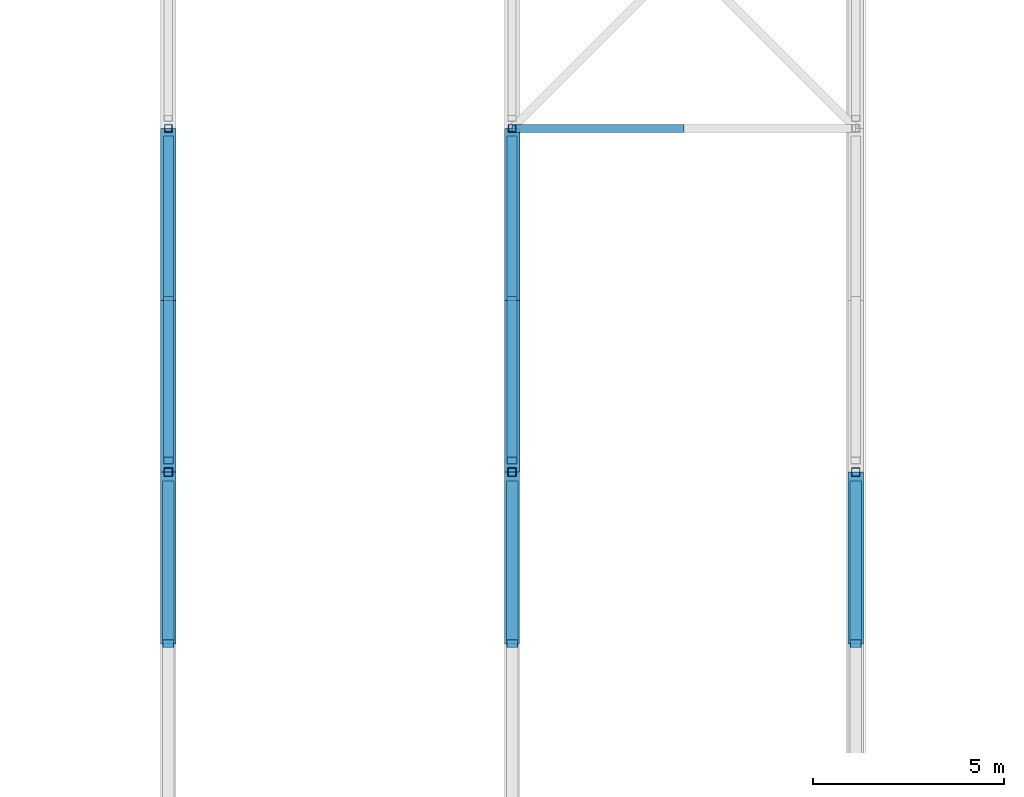
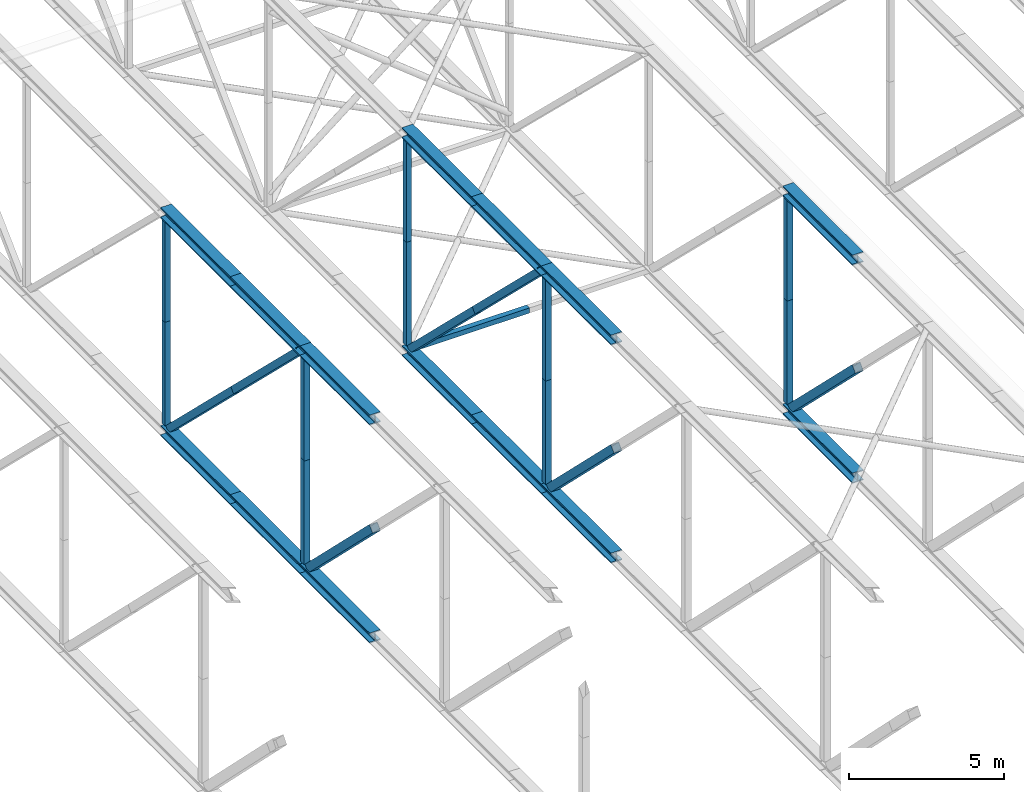
# One storey, part 44 of 646: 32 members.
"""IFC4 building model written with IfcOpenShell, lengths in metres."""

from ifc_helpers import new_model, si_unit, direction, frame, origin, origin_2d, place, context, subcontext, project, spatial, hollow_rectangle, i_section, extrude, material, material_profile, profile_set, type_object, element, save


model = new_model("IFC4")

# Units and contexts
model_context = context("Model", 3, precision=1e-05, world=origin(), true_north=direction((0.0, 1.0)))
body_context = subcontext(model_context, "Body", "Model", "MODEL_VIEW")
ifc_project = project(units=[si_unit("LENGTHUNIT", "METRE"), si_unit("AREAUNIT", "SQUARE_METRE"), si_unit("VOLUMEUNIT", "CUBIC_METRE"), si_unit("PLANEANGLEUNIT", "RADIAN"), si_unit("MASSUNIT", "GRAM", prefix="KILO")], contexts=[model_context])

# Site, building, storey
site_placement = place(None, origin())
site = spatial("IfcSite", under=ifc_project, at=site_placement, CompositionType="ELEMENT")
building_placement = place(site_placement, origin())
building = spatial("IfcBuilding", under=site, at=building_placement, Name="Silverbay Arena", CompositionType="ELEMENT")
storey_placement = place(building_placement, frame((0.0, 0.0, 33.5)))
storey = spatial("IfcBuildingStorey", under=building, at=storey_placement, Name="L05", CompositionType="ELEMENT", Elevation=33.5)

# Members
ifc_material_1 = material(Name="Steel S355", Category="steel")
ifc_material_profile_1 = material_profile(ifc_material_1, hollow_rectangle(XDim=0.199951171875, YDim=0.199951171875, WallThickness=0.008056640625, at=origin_2d()), Name="SHS 200x200x8")
ifc_profile_set_1 = profile_set([ifc_material_profile_1], Name="Steel S355")
member_type_1 = type_object("IfcMemberType", Name="Bracing strut SHS 200x200x8", PredefinedType="STRUT", material=ifc_profile_set_1)
member_1_placement = place(storey_placement, frame((126.0, 72.0, 4.203125), z_axis=(1.0, 0.0, 0.0), x_axis=(0.0, 1.0, 0.0)))
element("IfcMember", 1, at=member_1_placement, inside=storey, type_object=member_type_1, Name="ROOF BRACING strut 15-16 line 08a", PredefinedType="STRUT", context=body_context, shape_type="SweptSolid", body=[
    extrude(hollow_rectangle(XDim=0.199951171875, YDim=0.199951171875, WallThickness=0.008056640625, at=origin_2d()), origin(), (0.0, 0.0, 1.0), 4.5),
])
ifc_material_2 = material(Name="Steel S355", Category="steel")
ifc_material_profile_2 = material_profile(ifc_material_2, i_section(OverallWidth=0.403076171875, OverallDepth=0.406494140625, WebThickness=0.026611328125, FlangeThickness=0.04296875, at=origin_2d()), Name="UC 356x406x340")
ifc_profile_set_2 = profile_set([ifc_material_profile_2], Name="Steel S355")
member_type_2 = type_object("IfcMemberType", Name="Main-span bottom chord UC 356x406x340", PredefinedType="CHORD", material=ifc_profile_set_2)
for number, where, z_axis, x_axis, name in (
    (2, (117.0, 58.5, 4.203125), (0.0, 1.0, 0.0), (-1.0, 0.0, 0.0), "ROOF TRUSS 14 bottom chord 06b"),
    (3, (117.0, 63.0, 4.203125), (0.0, 1.0, 0.0), (-1.0, 0.0, 0.0), "ROOF TRUSS 14 bottom chord 07a"),
    (4, (117.0, 67.5, 4.203125), (0.0, 1.0, 0.0), (-1.0, 0.0, 0.0), "ROOF TRUSS 14 bottom chord 07b"),
    (5, (126.0, 58.5, 4.203125), (0.0, 1.0, 0.0), (-1.0, 0.0, 0.0), "ROOF TRUSS 15 bottom chord 06b"),
    (6, (126.0, 63.0, 4.203125), (0.0, 1.0, 0.0), (-1.0, 0.0, 0.0), "ROOF TRUSS 15 bottom chord 07a"),
    (7, (126.0, 67.5, 4.203125), (0.0, 1.0, 0.0), (-1.0, 0.0, 0.0), "ROOF TRUSS 15 bottom chord 07b"),
    (8, (135.0, 58.5, 4.203125), (0.0, 1.0, 0.0), (-1.0, 0.0, 0.0), "ROOF TRUSS 16 bottom chord 06b"),
):
    element("IfcMember", number, at=place(storey_placement, frame(where, z_axis=z_axis, x_axis=x_axis)), inside=storey, type_object=member_type_2, Name=name, PredefinedType="CHORD", context=body_context, shape_type="SweptSolid", body=[
        extrude(i_section(OverallWidth=0.403076171875, OverallDepth=0.406494140625, WebThickness=0.026611328125, FlangeThickness=0.04296875, at=origin_2d()), origin(), (0.0, 0.0, 1.0), 4.5),
    ])
ifc_material_3 = material(Name="Steel S355", Category="steel")
ifc_material_profile_3 = material_profile(ifc_material_3, i_section(OverallWidth=0.403076171875, OverallDepth=0.406494140625, WebThickness=0.026611328125, FlangeThickness=0.04296875, at=origin_2d()), Name="UC 356x406x340")
ifc_profile_set_3 = profile_set([ifc_material_profile_3], Name="Steel S355")
member_type_3 = type_object("IfcMemberType", Name="Main-span top chord UC 356x406x340", PredefinedType="CHORD", material=ifc_profile_set_3)
for number, where, z_axis, x_axis, name in (
    (9, (117.0, 58.5, 12.796875), (0.0, 1.0, 0.0), (-1.0, 0.0, 0.0), "ROOF TRUSS 14 top chord 06b"),
    (10, (126.0, 58.5, 12.796875), (0.0, 1.0, 0.0), (-1.0, 0.0, 0.0), "ROOF TRUSS 15 top chord 06b"),
    (11, (135.0, 58.5, 12.796875), (0.0, 1.0, 0.0), (-1.0, 0.0, 0.0), "ROOF TRUSS 16 top chord 06b"),
):
    element("IfcMember", number, at=place(storey_placement, frame(where, z_axis=z_axis, x_axis=x_axis)), inside=storey, type_object=member_type_3, Name=name, PredefinedType="CHORD", context=body_context, shape_type="SweptSolid", body=[
        extrude(i_section(OverallWidth=0.403076171875, OverallDepth=0.406494140625, WebThickness=0.026611328125, FlangeThickness=0.04296875, at=origin_2d()), origin(), (0.0, 0.0, 1.0), 4.5),
    ])
ifc_material_4 = material(Name="Steel S355", Category="steel")
ifc_material_profile_4 = material_profile(ifc_material_4, i_section(OverallWidth=0.406982421875, OverallDepth=0.4189453125, WebThickness=0.030517578125, FlangeThickness=0.04931640625, at=origin_2d()), Name="UC 356x406x393")
ifc_profile_set_4 = profile_set([ifc_material_profile_4], Name="Steel S355")
member_type_4 = type_object("IfcMemberType", Name="Main-span top chord UC 356x406x393", PredefinedType="CHORD", material=ifc_profile_set_4)
for number, where, z_axis, x_axis, name in (
    (12, (117.0, 63.0, 12.79052734375), (0.0, 1.0, 0.0), (-1.0, 0.0, 0.0), "ROOF TRUSS 14 top chord 07a"),
    (13, (117.0, 67.5, 12.79052734375), (0.0, 1.0, 0.0), (-1.0, 0.0, 0.0), "ROOF TRUSS 14 top chord 07b"),
    (14, (126.0, 63.0, 12.79052734375), (0.0, 1.0, 0.0), (-1.0, 0.0, 0.0), "ROOF TRUSS 15 top chord 07a"),
    (15, (126.0, 67.5, 12.79052734375), (0.0, 1.0, 0.0), (-1.0, 0.0, 0.0), "ROOF TRUSS 15 top chord 07b"),
):
    element("IfcMember", number, at=place(storey_placement, frame(where, z_axis=z_axis, x_axis=x_axis)), inside=storey, type_object=member_type_4, Name=name, PredefinedType="CHORD", context=body_context, shape_type="SweptSolid", body=[
        extrude(i_section(OverallWidth=0.406982421875, OverallDepth=0.4189453125, WebThickness=0.030517578125, FlangeThickness=0.04931640625, at=origin_2d()), origin(), (0.0, 0.0, 1.0), 4.5),
    ])
ifc_material_5 = material(Name="Steel S355", Category="steel")
ifc_material_profile_5 = material_profile(ifc_material_5, hollow_rectangle(XDim=0.260009765625, YDim=0.260009765625, WallThickness=0.012451171875, at=origin_2d()), Name="SHS 260x260x12.5")
ifc_profile_set_5 = profile_set([ifc_material_profile_5], Name="Steel S355")
member_type_5 = type_object("IfcMemberType", Name="Main-span truss diagonal SHS 260x260x12.5", PredefinedType="BRACE", material=ifc_profile_set_5)
for number, where, z_axis, x_axis, name in (
    (16, (117.0, 63.303466796875, 12.5810546875), (0.0, 0.716765314206, -0.697314480239), (-1.0, 0.0, 0.0), "ROOF TRUSS 14 diagonal 07a"),
    (17, (117.0, 67.5048828125, 8.49365234375), (0.0, 0.716806382858, -0.697272263534), (-1.0, 0.0, 0.0), "ROOF TRUSS 14 diagonal 07b"),
    (18, (126.0, 63.303466796875, 12.5810546875), (0.0, 0.716765314206, -0.697314480239), (-1.0, 0.0, 0.0), "ROOF TRUSS 15 diagonal 07a"),
    (19, (126.0, 67.5048828125, 8.49365234375), (0.0, 0.716806382858, -0.697272263534), (-1.0, 0.0, 0.0), "ROOF TRUSS 15 diagonal 07b"),
):
    element("IfcMember", number, at=place(storey_placement, frame(where, z_axis=z_axis, x_axis=x_axis)), inside=storey, type_object=member_type_5, Name=name, PredefinedType="BRACE", context=body_context, shape_type="SweptSolid", body=[
        extrude(hollow_rectangle(XDim=0.260009765625, YDim=0.260009765625, WallThickness=0.012451171875, at=origin_2d()), origin(), (0.0, 0.0, 1.0), 5.861572265625),
    ])
ifc_material_6 = material(Name="Steel S355", Category="steel")
ifc_material_profile_6 = material_profile(ifc_material_6, hollow_rectangle(XDim=0.300048828125, YDim=0.300048828125, WallThickness=0.012451171875, at=origin_2d()), Name="SHS 300x300x12.5")
ifc_profile_set_6 = profile_set([ifc_material_profile_6], Name="Steel S355")
member_type_6 = type_object("IfcMemberType", Name="Main-span truss diagonal SHS 300x300x12.5", PredefinedType="BRACE", material=ifc_profile_set_6)
for number, where, z_axis, x_axis, name in (
    (20, (117.0, 58.507568359375, 8.5), (0.0, 0.71273186468, -0.701436589487), (-1.0, 0.0, 0.0), "ROOF TRUSS 14 diagonal 06b"),
    (21, (126.0, 58.507568359375, 8.5), (0.0, 0.71273186468, -0.701436589487), (-1.0, 0.0, 0.0), "ROOF TRUSS 15 diagonal 06b"),
    (22, (135.0, 58.507568359375, 8.5), (0.0, 0.71273186468, -0.701436589487), (-1.0, 0.0, 0.0), "ROOF TRUSS 16 diagonal 06b"),
):
    element("IfcMember", number, at=place(storey_placement, frame(where, z_axis=z_axis, x_axis=x_axis)), inside=storey, type_object=member_type_6, Name=name, PredefinedType="BRACE", context=body_context, shape_type="SweptSolid", body=[
        extrude(hollow_rectangle(XDim=0.300048828125, YDim=0.300048828125, WallThickness=0.012451171875, at=origin_2d()), origin(), (0.0, 0.0, 1.0), 5.8359375),
    ])
ifc_material_7 = material(Name="Steel S355", Category="steel")
ifc_material_profile_7 = material_profile(ifc_material_7, hollow_rectangle(XDim=0.199951171875, YDim=0.199951171875, WallThickness=0.008056640625, at=origin_2d()), Name="SHS 200x200x8")
ifc_profile_set_7 = profile_set([ifc_material_profile_7], Name="Steel S355")
member_type_7 = type_object("IfcMemberType", Name="Main-span truss vertical SHS 200x200x8", PredefinedType="STRUT", material=ifc_profile_set_7)
member_2_placement = place(storey_placement, frame((117.0, 72.0, 4.406494140625), z_axis=(0.0, 0.0, 1.0), x_axis=(1.0, 0.0, 0.0)))
element("IfcMember", 23, at=member_2_placement, inside=storey, type_object=member_type_7, Name="ROOF TRUSS 14 vertical 08a", PredefinedType="STRUT", context=body_context, shape_type="SweptSolid", body=[
    extrude(hollow_rectangle(XDim=0.199951171875, YDim=0.199951171875, WallThickness=0.008056640625, at=origin_2d()), origin(), (0.0, 0.0, 1.0), 4.087158203125),
])
member_3_placement = place(storey_placement, frame((117.0, 72.0, 8.49365234375), z_axis=(0.0, 0.0, 1.0), x_axis=(1.0, 0.0, 0.0)))
element("IfcMember", 24, at=member_3_placement, inside=storey, type_object=member_type_7, Name="ROOF TRUSS 14 vertical 08b", PredefinedType="STRUT", context=body_context, shape_type="SweptSolid", body=[
    extrude(hollow_rectangle(XDim=0.199951171875, YDim=0.199951171875, WallThickness=0.008056640625, at=origin_2d()), origin(), (0.0, 0.0, 1.0), 4.08740234375),
])
member_4_placement = place(storey_placement, frame((126.0, 72.0, 4.406494140625), z_axis=(0.0, 0.0, 1.0), x_axis=(1.0, 0.0, 0.0)))
element("IfcMember", 25, at=member_4_placement, inside=storey, type_object=member_type_7, Name="ROOF TRUSS 15 vertical 08a", PredefinedType="STRUT", context=body_context, shape_type="SweptSolid", body=[
    extrude(hollow_rectangle(XDim=0.199951171875, YDim=0.199951171875, WallThickness=0.008056640625, at=origin_2d()), origin(), (0.0, 0.0, 1.0), 4.087158203125),
])
member_5_placement = place(storey_placement, frame((126.0, 72.0, 8.49365234375), z_axis=(0.0, 0.0, 1.0), x_axis=(1.0, 0.0, 0.0)))
element("IfcMember", 26, at=member_5_placement, inside=storey, type_object=member_type_7, Name="ROOF TRUSS 15 vertical 08b", PredefinedType="STRUT", context=body_context, shape_type="SweptSolid", body=[
    extrude(hollow_rectangle(XDim=0.199951171875, YDim=0.199951171875, WallThickness=0.008056640625, at=origin_2d()), origin(), (0.0, 0.0, 1.0), 4.08740234375),
])
ifc_material_8 = material(Name="Steel S355", Category="steel")
ifc_material_profile_8 = material_profile(ifc_material_8, hollow_rectangle(XDim=0.219970703125, YDim=0.219970703125, WallThickness=0.008056640625, at=origin_2d()), Name="SHS 220x220x8")
ifc_profile_set_8 = profile_set([ifc_material_profile_8], Name="Steel S355")
member_type_8 = type_object("IfcMemberType", Name="Main-span truss vertical SHS 220x220x8", PredefinedType="STRUT", material=ifc_profile_set_8)
member_6_placement = place(storey_placement, frame((117.0, 63.0, 4.406494140625), z_axis=(0.0, 0.0, 1.0), x_axis=(1.0, 0.0, 0.0)))
element("IfcMember", 27, at=member_6_placement, inside=storey, type_object=member_type_8, Name="ROOF TRUSS 14 vertical 07a", PredefinedType="STRUT", context=body_context, shape_type="SweptSolid", body=[
    extrude(hollow_rectangle(XDim=0.219970703125, YDim=0.219970703125, WallThickness=0.008056640625, at=origin_2d()), origin(), (0.0, 0.0, 1.0), 4.087158203125),
])
member_7_placement = place(storey_placement, frame((117.0, 63.0, 8.49365234375), z_axis=(0.0, 0.0, 1.0), x_axis=(1.0, 0.0, 0.0)))
element("IfcMember", 28, at=member_7_placement, inside=storey, type_object=member_type_8, Name="ROOF TRUSS 14 vertical 07b", PredefinedType="STRUT", context=body_context, shape_type="SweptSolid", body=[
    extrude(hollow_rectangle(XDim=0.219970703125, YDim=0.219970703125, WallThickness=0.008056640625, at=origin_2d()), origin(), (0.0, 0.0, 1.0), 4.08740234375),
])
member_8_placement = place(storey_placement, frame((126.0, 63.0, 4.406494140625), z_axis=(0.0, 0.0, 1.0), x_axis=(1.0, 0.0, 0.0)))
element("IfcMember", 29, at=member_8_placement, inside=storey, type_object=member_type_8, Name="ROOF TRUSS 15 vertical 07a", PredefinedType="STRUT", context=body_context, shape_type="SweptSolid", body=[
    extrude(hollow_rectangle(XDim=0.219970703125, YDim=0.219970703125, WallThickness=0.008056640625, at=origin_2d()), origin(), (0.0, 0.0, 1.0), 4.087158203125),
])
member_9_placement = place(storey_placement, frame((126.0, 63.0, 8.49365234375), z_axis=(0.0, 0.0, 1.0), x_axis=(1.0, 0.0, 0.0)))
element("IfcMember", 30, at=member_9_placement, inside=storey, type_object=member_type_8, Name="ROOF TRUSS 15 vertical 07b", PredefinedType="STRUT", context=body_context, shape_type="SweptSolid", body=[
    extrude(hollow_rectangle(XDim=0.219970703125, YDim=0.219970703125, WallThickness=0.008056640625, at=origin_2d()), origin(), (0.0, 0.0, 1.0), 4.08740234375),
])
member_10_placement = place(storey_placement, frame((135.0, 63.0, 4.406494140625), z_axis=(0.0, 0.0, 1.0), x_axis=(1.0, 0.0, 0.0)))
element("IfcMember", 31, at=member_10_placement, inside=storey, type_object=member_type_8, Name="ROOF TRUSS 16 vertical 07a", PredefinedType="STRUT", context=body_context, shape_type="SweptSolid", body=[
    extrude(hollow_rectangle(XDim=0.219970703125, YDim=0.219970703125, WallThickness=0.008056640625, at=origin_2d()), origin(), (0.0, 0.0, 1.0), 4.087158203125),
])
member_11_placement = place(storey_placement, frame((135.0, 63.0, 8.49365234375), z_axis=(0.0, 0.0, 1.0), x_axis=(1.0, 0.0, 0.0)))
element("IfcMember", 32, at=member_11_placement, inside=storey, type_object=member_type_8, Name="ROOF TRUSS 16 vertical 07b", PredefinedType="STRUT", context=body_context, shape_type="SweptSolid", body=[
    extrude(hollow_rectangle(XDim=0.219970703125, YDim=0.219970703125, WallThickness=0.008056640625, at=origin_2d()), origin(), (0.0, 0.0, 1.0), 4.08740234375),
])

save(model, "model.ifc")
